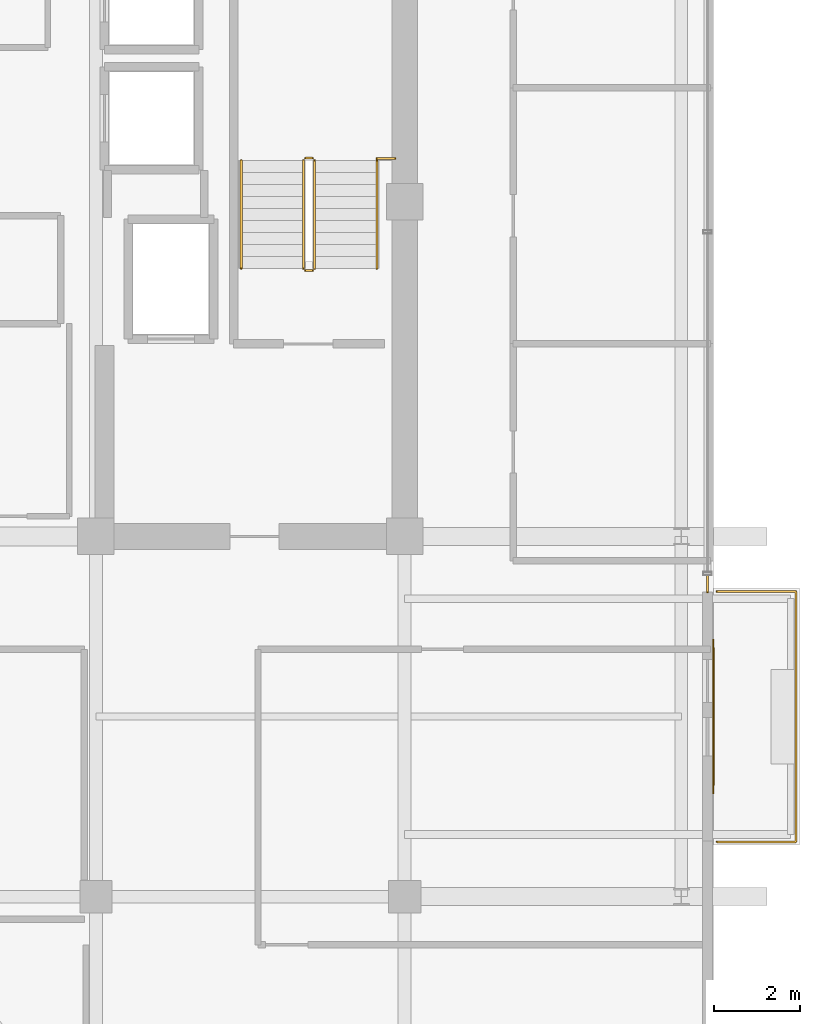
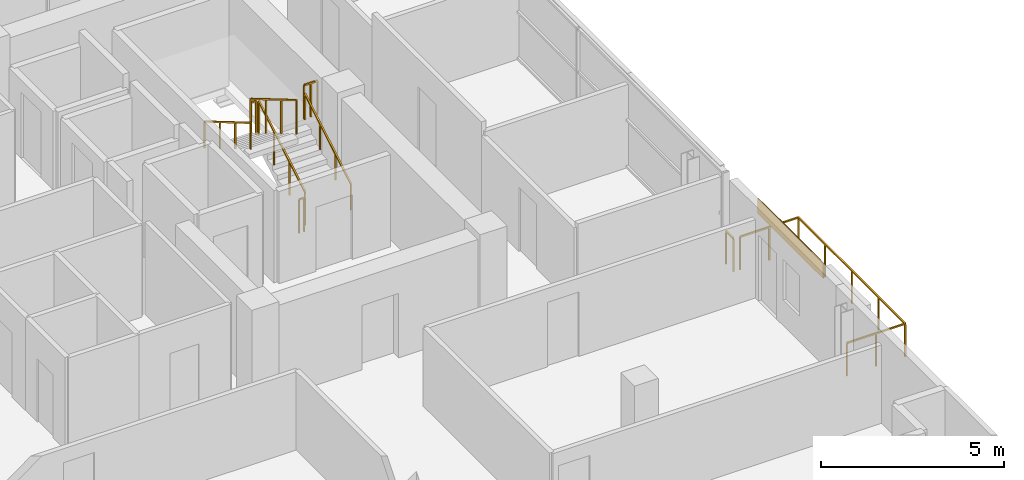
# One storey, part 28 of 29: 9 railings, 1 covering, 1 shading device.
"""IFC4 building model written with IfcOpenShell, lengths in metres."""

from ifc_helpers import new_model, si_unit, direction, frame, origin, origin_2d, place, context, subcontext, project, spatial, rectangle, extrude, source, transform, mapped, material, layer, layer_set, type_object, element, save


model = new_model("IFC4")

# Units and contexts
model_context = context("Model", 3, precision=1e-05, world=origin(), true_north=direction((0.0, 1.0)))
body_context = subcontext(model_context, "Body", "Model", "MODEL_VIEW")
ifc_project = project(units=[si_unit("LENGTHUNIT", "METRE"), si_unit("AREAUNIT", "SQUARE_METRE"), si_unit("VOLUMEUNIT", "CUBIC_METRE"), si_unit("PLANEANGLEUNIT", "RADIAN"), si_unit("MASSUNIT", "GRAM", prefix="KILO")], contexts=[model_context])

# Site, building, storey
site_placement = place(None, origin())
site = spatial("IfcSite", under=ifc_project, at=site_placement, CompositionType="ELEMENT")
building_placement = place(site_placement, origin())
building = spatial("IfcBuilding", under=site, at=building_placement, Name="Zarnakvel Exchange Tower", CompositionType="ELEMENT")
storey_placement = place(building_placement, frame((0.0, 0.0, 258.39990234375)))
storey = spatial("IfcBuildingStorey", under=building, at=storey_placement, Name="L73", CompositionType="ELEMENT", Elevation=258.39990234375)

# Railings
ifc_material_1 = material(Name="Architectural Bronze Anodised Aluminium", Category="aluminium")
railing_type_1 = type_object("IfcRailingType", Name="GR-02", PredefinedType="GUARDRAIL", material=ifc_material_1)
railing_1_placement = place(storey_placement, frame((21.679931640625, -8.320068359375, -0.034912109375)))
element("IfcRailing", 1, at=railing_1_placement, inside=storey, type_object=railing_type_1, Name="L73 Balcony Guardrail BAL-L73-E", PredefinedType="GUARDRAIL", context=body_context, shape_type="SweptSolid", body=[
    extrude(rectangle(XDim=0.048095703125, YDim=0.048095703125, at=origin_2d()), frame((0.0, 0.0, 1.09619140625), z_axis=(1.0, 0.0, 0.0), x_axis=(0.0, 1.0, 0.0)), (0.0, 0.0, 1.0), 1.840087890625),
    extrude(rectangle(XDim=0.048095703125, YDim=0.048095703125, at=origin_2d()), frame((1.840087890625, 0.0, 1.09619140625), z_axis=(0.0, 1.0, 0.0), x_axis=(-1.0, 0.0, 0.0)), (0.0, 0.0, 1.0), 5.840087890625),
    extrude(rectangle(XDim=0.048095703125, YDim=0.048095703125, at=origin_2d()), frame((1.840087890625, 5.840087890625, 1.09619140625), z_axis=(-1.0, 0.0, 0.0), x_axis=(0.0, -1.0, 0.0)), (0.0, 0.0, 1.0), 1.840087890625),
    extrude(rectangle(XDim=0.0419921875, YDim=0.0419921875, at=origin_2d()), origin(), (0.0, 0.0, 1.0), 1.072021484375),
    extrude(rectangle(XDim=0.0419921875, YDim=0.0419921875, at=origin_2d()), frame((0.919921875, 0.0, 0.0)), (0.0, 0.0, 1.0), 1.072021484375),
    extrude(rectangle(XDim=0.0419921875, YDim=0.0419921875, at=origin_2d()), frame((1.840087890625, 0.0, 0.0)), (0.0, 0.0, 1.0), 1.072021484375),
    extrude(rectangle(XDim=0.0419921875, YDim=0.0419921875, at=origin_2d()), frame((1.840087890625, 1.4599609375, 0.0)), (0.0, 0.0, 1.0), 1.072021484375),
    extrude(rectangle(XDim=0.0419921875, YDim=0.0419921875, at=origin_2d()), frame((1.840087890625, 2.919921875, 0.0)), (0.0, 0.0, 1.0), 1.072021484375),
    extrude(rectangle(XDim=0.0419921875, YDim=0.0419921875, at=origin_2d()), frame((1.840087890625, 4.380126953125, 0.0)), (0.0, 0.0, 1.0), 1.072021484375),
    extrude(rectangle(XDim=0.0419921875, YDim=0.0419921875, at=origin_2d()), frame((1.840087890625, 5.840087890625, 0.0)), (0.0, 0.0, 1.0), 1.072021484375),
    extrude(rectangle(XDim=0.0419921875, YDim=0.0419921875, at=origin_2d()), frame((0.919921875, 5.840087890625, 0.0)), (0.0, 0.0, 1.0), 1.072021484375),
    extrude(rectangle(XDim=0.0419921875, YDim=0.0419921875, at=origin_2d()), frame((0.0, 5.840087890625, 0.0)), (0.0, 0.0, 1.0), 1.072021484375),
])
railing_2_placement = place(storey_placement, frame((21.4599609375, -2.10009765625, 0.0)))
element("IfcRailing", 2, at=railing_2_placement, inside=storey, type_object=railing_type_1, Name="L73 Corner Spandrel Balustrade #9", PredefinedType="GUARDRAIL", context=body_context, shape_type="SweptSolid", body=[
    extrude(rectangle(XDim=0.048095703125, YDim=0.048095703125, at=origin_2d()), frame((0.0, 0.0, 1.09619140625), z_axis=(0.0, -1.0, 0.0), x_axis=(1.0, 0.0, 0.0)), (0.0, 0.0, 1.0), 0.39990234375),
    extrude(rectangle(XDim=0.0419921875, YDim=0.0419921875, at=origin_2d()), origin(), (0.0, 0.0, 1.0), 1.072021484375),
    extrude(rectangle(XDim=0.0419921875, YDim=0.0419921875, at=origin_2d()), frame((0.0, -0.39990234375, 0.0)), (0.0, 0.0, 1.0), 1.072021484375),
])
ifc_material_2 = material(Name="Brushed Stainless Steel", Category="steel")
railing_type_2 = type_object("IfcRailingType", Name="HR-01", PredefinedType="HANDRAIL", material=ifc_material_2)
railing_3_placement = place(storey_placement, frame((13.75, 5.050048828125, 0.1650390625)))
element("IfcRailing", 3, at=railing_3_placement, inside=storey, type_object=railing_type_2, Name="L73 ST-02 stair handrail 1", PredefinedType="HANDRAIL", context=body_context, shape_type="SweptSolid", body=[
    extrude(rectangle(XDim=0.048095703125, YDim=0.048095703125, at=origin_2d()), frame((0.0, 0.0, 0.8759765625), z_axis=(0.0, 0.86152411907, 0.507716645641), x_axis=(-1.0, 0.0, 0.0)), (0.0, 0.0, 1.0), 2.925048828125),
    extrude(rectangle(XDim=0.0419921875, YDim=0.0419921875, at=origin_2d()), origin(), (0.0, 0.0, 1.0), 0.851806640625),
    extrude(rectangle(XDim=0.0419921875, YDim=0.0419921875, at=origin_2d()), frame((0.0, 0.840087890625, 0.4951171875)), (0.0, 0.0, 1.0), 0.851806640625),
    extrude(rectangle(XDim=0.0419921875, YDim=0.0419921875, at=origin_2d()), frame((0.0, 1.679931640625, 0.989990234375)), (0.0, 0.0, 1.0), 0.851806640625),
    extrude(rectangle(XDim=0.0419921875, YDim=0.0419921875, at=origin_2d()), frame((0.0, 2.52001953125, 1.485107421875)), (0.0, 0.0, 1.0), 0.851806640625),
])
railing_4_placement = place(storey_placement, frame((10.590087890625, 7.570068359375, 1.815185546875)))
element("IfcRailing", 4, at=railing_4_placement, inside=storey, type_object=railing_type_2, Name="L73 ST-02 stair handrail 2", PredefinedType="HANDRAIL", context=body_context, shape_type="SweptSolid", body=[
    extrude(rectangle(XDim=0.048095703125, YDim=0.048095703125, at=origin_2d()), frame((0.0, 0.0, 0.8759765625), z_axis=(0.0, -0.861560626758, 0.507654692109), x_axis=(1.0, 0.0, 0.0)), (0.0, 0.0, 1.0), 2.925048828125),
    extrude(rectangle(XDim=0.0419921875, YDim=0.0419921875, at=origin_2d()), origin(), (0.0, 0.0, 1.0), 0.851806640625),
    extrude(rectangle(XDim=0.0419921875, YDim=0.0419921875, at=origin_2d()), frame((0.0, -0.840087890625, 0.494873046875)), (0.0, 0.0, 1.0), 0.851806640625),
    extrude(rectangle(XDim=0.0419921875, YDim=0.0419921875, at=origin_2d()), frame((0.0, -1.679931640625, 0.989990234375)), (0.0, 0.0, 1.0), 0.851806640625),
    extrude(rectangle(XDim=0.0419921875, YDim=0.0419921875, at=origin_2d()), frame((0.0, -2.52001953125, 1.48486328125)), (0.0, 0.0, 1.0), 0.851806640625),
])
railing_type_3 = type_object("IfcRailingType", Name="SG-01", PredefinedType="GUARDRAIL", material=ifc_material_1)
railing_5_placement = place(storey_placement, frame((12.300048828125, 5.050048828125, 0.1650390625)))
element("IfcRailing", 5, at=railing_5_placement, inside=storey, type_object=railing_type_3, Name="L73 ST-02 stair guard 1", PredefinedType="GUARDRAIL", context=body_context, shape_type="SweptSolid", body=[
    extrude(rectangle(XDim=0.048095703125, YDim=0.048095703125, at=origin_2d()), frame((0.0, 0.0, 1.1259765625), z_axis=(0.0, 0.86152411907, 0.507716645641), x_axis=(-1.0, 0.0, 0.0)), (0.0, 0.0, 1.0), 2.925048828125),
    extrude(rectangle(XDim=0.0419921875, YDim=0.0419921875, at=origin_2d()), origin(), (0.0, 0.0, 1.0), 1.101806640625),
    extrude(rectangle(XDim=0.0419921875, YDim=0.0419921875, at=origin_2d()), frame((0.0, 0.840087890625, 0.4951171875)), (0.0, 0.0, 1.0), 1.101806640625),
    extrude(rectangle(XDim=0.0419921875, YDim=0.0419921875, at=origin_2d()), frame((0.0, 1.679931640625, 0.989990234375)), (0.0, 0.0, 1.0), 1.101806640625),
    extrude(rectangle(XDim=0.0419921875, YDim=0.0419921875, at=origin_2d()), frame((0.0, 2.52001953125, 1.485107421875)), (0.0, 0.0, 1.0), 1.101806640625),
])
railing_6_placement = place(storey_placement, frame((12.25, 7.6201171875, 1.650146484375)))
element("IfcRailing", 6, at=railing_6_placement, inside=storey, type_object=railing_type_3, Name="L73 ST-02 stair guard 2", PredefinedType="GUARDRAIL", context=body_context, shape_type="SweptSolid", body=[
    extrude(rectangle(XDim=0.048095703125, YDim=0.048095703125, at=origin_2d()), frame((0.0, 0.0, 1.1259765625), z_axis=(-1.0, 0.0, 0.0), x_axis=(0.0, -1.0, 0.0)), (0.0, 0.0, 1.0), 0.159912109375),
    extrude(rectangle(XDim=0.0419921875, YDim=0.0419921875, at=origin_2d()), origin(), (0.0, 0.0, 1.0), 1.101806640625),
    extrude(rectangle(XDim=0.0419921875, YDim=0.0419921875, at=origin_2d()), frame((-0.159912109375, 0.0, 0.0)), (0.0, 0.0, 1.0), 1.101806640625),
])
railing_7_placement = place(storey_placement, frame((12.0400390625, 7.570068359375, 1.815185546875)))
element("IfcRailing", 7, at=railing_7_placement, inside=storey, type_object=railing_type_3, Name="L73 ST-02 stair guard 3", PredefinedType="GUARDRAIL", context=body_context, shape_type="SweptSolid", body=[
    extrude(rectangle(XDim=0.048095703125, YDim=0.048095703125, at=origin_2d()), frame((0.0, 0.0, 1.1259765625), z_axis=(0.0, -0.861560626758, 0.507654692109), x_axis=(1.0, 0.0, 0.0)), (0.0, 0.0, 1.0), 2.925048828125),
    extrude(rectangle(XDim=0.0419921875, YDim=0.0419921875, at=origin_2d()), origin(), (0.0, 0.0, 1.0), 1.101806640625),
    extrude(rectangle(XDim=0.0419921875, YDim=0.0419921875, at=origin_2d()), frame((0.0, -0.840087890625, 0.494873046875)), (0.0, 0.0, 1.0), 1.101806640625),
    extrude(rectangle(XDim=0.0419921875, YDim=0.0419921875, at=origin_2d()), frame((0.0, -1.679931640625, 0.989990234375)), (0.0, 0.0, 1.0), 1.101806640625),
    extrude(rectangle(XDim=0.0419921875, YDim=0.0419921875, at=origin_2d()), frame((0.0, -2.52001953125, 1.48486328125)), (0.0, 0.0, 1.0), 1.101806640625),
])
railing_8_placement = place(storey_placement, frame((12.25, 5.0, 0.0)))
element("IfcRailing", 8, at=railing_8_placement, inside=storey, type_object=railing_type_3, Name="L73 ST-02 stair guard 4", PredefinedType="GUARDRAIL", context=body_context, shape_type="SweptSolid", body=[
    extrude(rectangle(XDim=0.048095703125, YDim=0.048095703125, at=origin_2d()), frame((0.0, 0.0, 1.1259765625), z_axis=(-1.0, 0.0, 0.0), x_axis=(0.0, -1.0, 0.0)), (0.0, 0.0, 1.0), 0.159912109375),
    extrude(rectangle(XDim=0.0419921875, YDim=0.0419921875, at=origin_2d()), origin(), (0.0, 0.0, 1.0), 1.101806640625),
    extrude(rectangle(XDim=0.0419921875, YDim=0.0419921875, at=origin_2d()), frame((-0.159912109375, 0.0, 0.0)), (0.0, 0.0, 1.0), 1.101806640625),
])
railing_9_placement = place(storey_placement, frame((13.75, 7.610107421875, 1.650146484375)))
element("IfcRailing", 9, at=railing_9_placement, inside=storey, type_object=railing_type_3, Name="L73 ST-02 Landing Slot Guardrail", PredefinedType="GUARDRAIL", context=body_context, shape_type="SweptSolid", body=[
    extrude(rectangle(XDim=0.048095703125, YDim=0.048095703125, at=origin_2d()), frame((0.0, 0.0, 1.1259765625), z_axis=(1.0, 0.0, 0.0), x_axis=(0.0, 1.0, 0.0)), (0.0, 0.0, 1.0), 0.429931640625),
    extrude(rectangle(XDim=0.0419921875, YDim=0.0419921875, at=origin_2d()), origin(), (0.0, 0.0, 1.0), 1.101806640625),
    extrude(rectangle(XDim=0.0419921875, YDim=0.0419921875, at=origin_2d()), frame((0.21484375, 0.0, 0.0)), (0.0, 0.0, 1.0), 1.101806640625),
    extrude(rectangle(XDim=0.0419921875, YDim=0.0419921875, at=origin_2d()), frame((0.429931640625, 0.0, 0.0)), (0.0, 0.0, 1.0), 1.101806640625),
])

# Shading device
ifc_material_3 = material(Name="Perforated Architectural Bronze Screen", Category="aluminium")
ifc_layer_1 = layer(ifc_material_3, 0.044921875)
ifc_layer_set_1 = layer_set([ifc_layer_1], Name="Perforated Architectural Bronze Screen")
shading_device_type = type_object("IfcShadingDeviceType", Name="SS-01", PredefinedType="JALOUSIE", material=ifc_layer_set_1)
shared_shape_1 = source(origin(), body_context, "Body", "SweptSolid", [
    extrude(rectangle(XDim=3.199951171875, YDim=0.044921875, at=origin_2d()), origin(), (0.0, 0.0, 1.0), 0.4951171875),
])
shading_device_placement = place(storey_placement, frame((21.6005859375, -5.39990234375, 2.56005859375), z_axis=(0.0, 0.0, 1.0), x_axis=(0.0, -1.0, 0.0)))
element("IfcShadingDevice", 10, at=shading_device_placement, inside=storey, type_object=shading_device_type, Name="L73 Bronze Solar Shading Screen SS-01", PredefinedType="JALOUSIE", context=body_context, shape_type="MappedRepresentation", body=[
    mapped(shared_shape_1, transform((0.0, 0.0, 0.0), x_axis=(1.0, 0.0, 0.0), y_axis=(0.0, 1.0, 0.0), z_axis=(0.0, 0.0, 1.0), scale=1.0)),
])

# Covering
ifc_material_4 = material(Name="Glazed Turquoise Ceramic Architectural Tile", Category="ceramic")
ifc_layer_2 = layer(ifc_material_4, 0.028076171875)
ifc_layer_set_2 = layer_set([ifc_layer_2], Name="Glazed Turquoise Ceramic Architectural Tile")
covering_type = type_object("IfcCoveringType", Name="CL-01", PredefinedType="CLADDING", material=ifc_layer_set_2)
shared_shape_2 = source(origin(), body_context, "Body", "SweptSolid", [
    extrude(rectangle(XDim=3.60009765625, YDim=0.028076171875, at=origin_2d()), origin(), (0.0, 0.0, 1.0), 0.4951171875),
])
covering_placement = place(storey_placement, frame((21.592041015625, -5.39990234375, 2.56005859375), z_axis=(0.0, 0.0, 1.0), x_axis=(0.0, -1.0, 0.0)))
element("IfcCovering", 11, at=covering_placement, inside=storey, type_object=covering_type, Name="L73 Ceramic Spandrel Tilework CL-01", PredefinedType="CLADDING", context=body_context, shape_type="MappedRepresentation", body=[
    mapped(shared_shape_2, transform((0.0, 0.0, 0.0), x_axis=(1.0, 0.0, 0.0), y_axis=(0.0, 1.0, 0.0), z_axis=(0.0, 0.0, 1.0), scale=1.0)),
])

save(model, "model.ifc")
